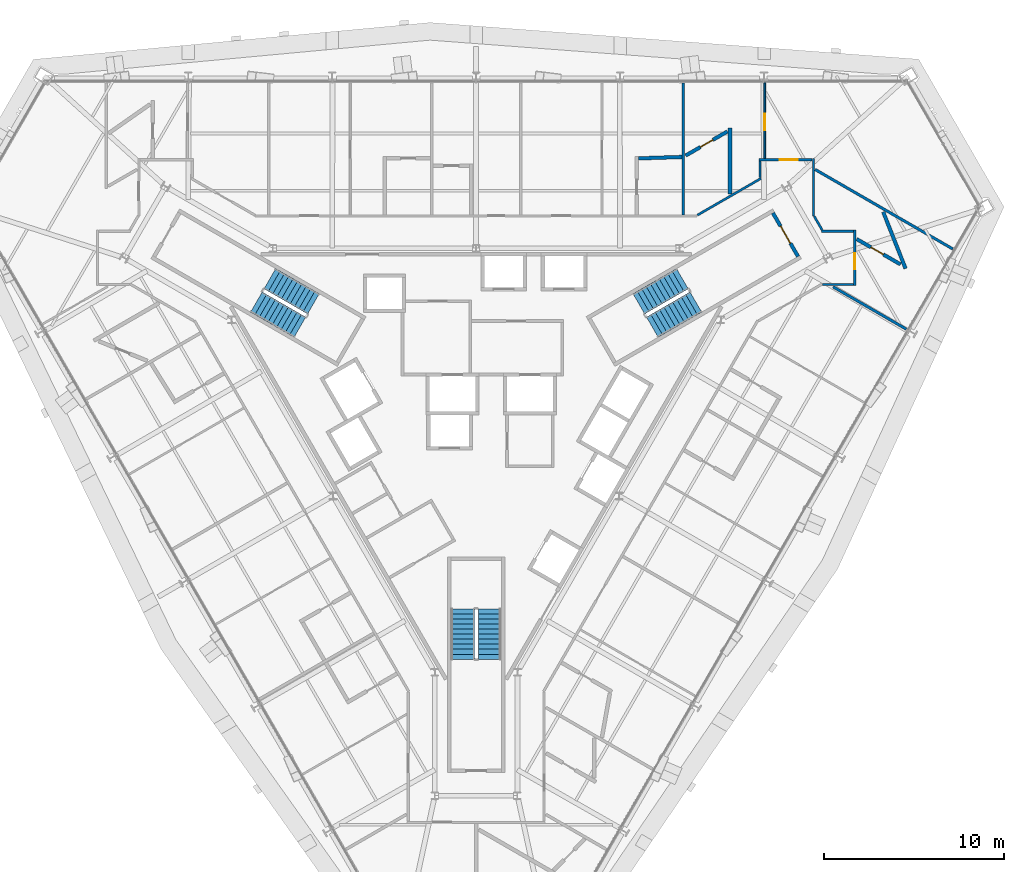
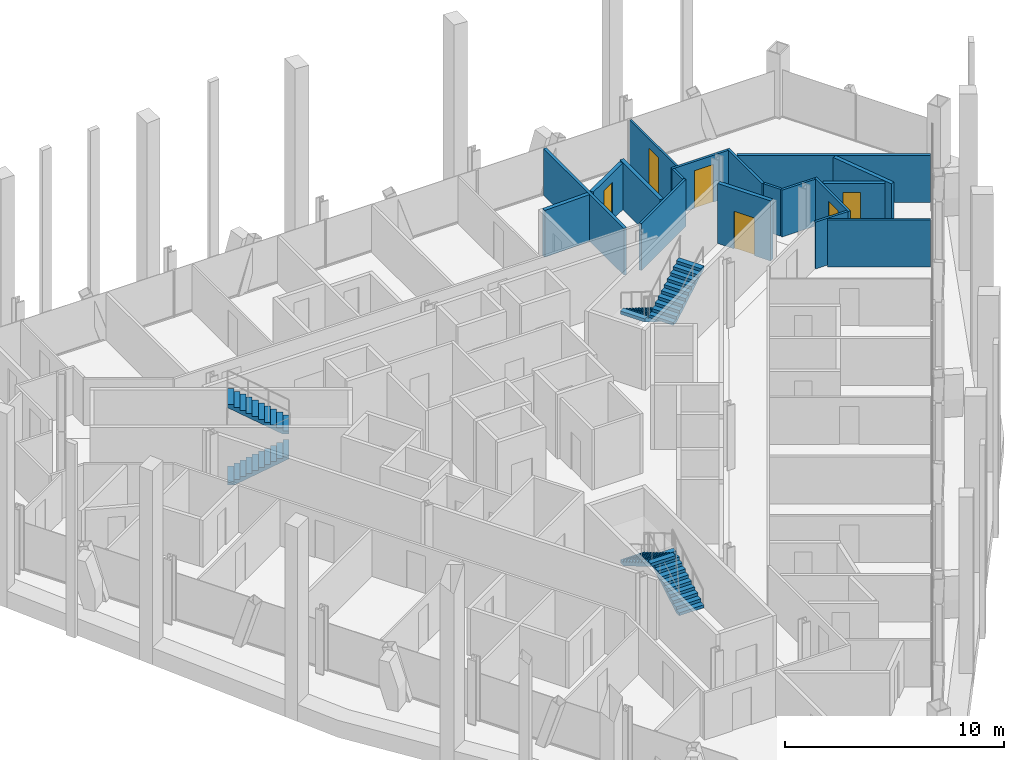
# One storey, part 14 of 16: 18 walls, 6 doors, 6 stair flights, 6 openings, 3 elements without a shape of their own.
"""IFC4 building model written with IfcOpenShell, lengths in metres."""

import ifcopenshell
import ifcopenshell.guid

model = None  # the IFC model being written
_history = None  # IfcOwnerHistory: only IFC2X3 demands one
_inside = {}  # id of a spatial element -> (the spatial element, [elements in it])
_under = {}  # id of a project, library or spatial element -> (it, [spatial elements below it])
_declared = {}  # id of a project -> (the project, [libraries it declares])
_typed = {}  # id of a type object -> (the type object, [elements of that type])
_made_of = {}  # id of a material, layer set ... -> (it, [elements and type objects made of it])


def new_model(schema):
    """Start an empty IFC model of exactly this schema.

    Asked for "IFC4X3", IfcOpenShell would pick the latest addendum, in which some entities
    have other attributes; the version numbers below select the first issue.
    IFC2X3 requires an IfcOwnerHistory on every rooted entity: one is made here for all.
    """
    global model, _history
    if schema == "IFC4X3":
        model = ifcopenshell.file(schema_version=(4, 3, 0, 0))
    else:
        model = ifcopenshell.file(schema=schema)
    _inside.clear()
    _under.clear()
    _declared.clear()
    _typed.clear()
    _made_of.clear()
    _history = None
    if model.schema == "IFC2X3":
        org = make("IfcOrganization", Name="unknown")
        user = make(
            "IfcPersonAndOrganization",
            ThePerson=make("IfcPerson", FamilyName="unknown"),
            TheOrganization=org,
        )
        app = make(
            "IfcApplication",
            ApplicationDeveloper=org,
            Version="unknown",
            ApplicationFullName="unknown",
            ApplicationIdentifier="unknown",
        )
        _history = make(
            "IfcOwnerHistory",
            OwningUser=user,
            OwningApplication=app,
            ChangeAction="ADDED",
            CreationDate=0,
        )
    return model


def make(cls, **values):
    """One entity of the class cls with the attributes given. An attribute that is None is left unset."""
    return model.create_entity(
        cls, **{name: value for name, value in values.items() if value is not None}
    )


def rooted(cls, **values):
    """An entity with a GlobalId (a new one), such as an element, a storey or a relation."""
    return make(cls, GlobalId=ifcopenshell.guid.new(), OwnerHistory=_history, **values)


def si_unit(unit_type, name, prefix=None):
    """IfcSIUnit, for example si_unit("LENGTHUNIT", "METRE", prefix="MILLI")."""
    return make("IfcSIUnit", UnitType=unit_type, Prefix=prefix, Name=name)


def assignment(units):
    """IfcUnitAssignment: the units of a project."""
    return None if units is None else make("IfcUnitAssignment", Units=units)


def point(xyz):
    """IfcCartesianPoint."""
    return None if xyz is None else make("IfcCartesianPoint", Coordinates=xyz)


def direction(xyz):
    """IfcDirection."""
    return None if xyz is None else make("IfcDirection", DirectionRatios=xyz)


def frame(location, z_axis=None, x_axis=None):
    """IfcAxis2Placement3D, a coordinate frame: its origin and axes. An axis left out is left unset."""
    return make(
        "IfcAxis2Placement3D",
        Location=point(location),
        Axis=direction(z_axis),
        RefDirection=direction(x_axis),
    )


def frame_2d(location, x_axis=None):
    """IfcAxis2Placement2D, a coordinate frame in the plane: its origin and x axis."""
    return make(
        "IfcAxis2Placement2D", Location=point(location), RefDirection=direction(x_axis)
    )


def origin():
    """The frame at (0, 0, 0) with its axes left unset."""
    return frame((0.0, 0.0, 0.0))


def place(relative_to, where):
    """IfcLocalPlacement: puts the frame where relative to a parent placement (None: the world)."""
    return make(
        "IfcLocalPlacement", PlacementRelTo=relative_to, RelativePlacement=where
    )


def context(
    kind, dimensions, precision=None, world=None, true_north=None, identifier=None
):
    """IfcGeometricRepresentationContext, for example the 3D "Model" context."""
    return make(
        "IfcGeometricRepresentationContext",
        ContextIdentifier=identifier,
        ContextType=kind,
        CoordinateSpaceDimension=dimensions,
        Precision=precision,
        WorldCoordinateSystem=world,
        TrueNorth=true_north,
    )


def subcontext(parent, identifier, kind, view, scale=None):
    """IfcGeometricRepresentationSubContext, for example "Body" below "Model"."""
    return make(
        "IfcGeometricRepresentationSubContext",
        ContextIdentifier=identifier,
        ContextType=kind,
        ParentContext=parent,
        TargetScale=scale,
        TargetView=view,
    )


def project(units=None, contexts=None):
    """IfcProject with its units and contexts."""
    return rooted(
        "IfcProject",
        Name="project",
        RepresentationContexts=contexts,
        UnitsInContext=assignment(units),
    )


def spatial(cls, under=None, at=None, **own):
    """A site, building, storey or space (cls), placed at a placement, below another one or the project."""
    s = rooted(cls, ObjectPlacement=at, **own)
    if under is not None:
        _under.setdefault(under.id(), (under, []))[1].append(s)
    return s


def polyline(points):
    """IfcPolyline through the points."""
    return make("IfcPolyline", Points=[point(p) for p in points])


def profile(cls, at=None, kind="AREA", **sizes):
    """A parametric profile (cls). Its sizes go by their IFC names, for example OverallWidth=200.0."""
    return make(cls, ProfileType=kind, Position=at, **sizes)


def rectangle(**sizes):
    """IfcRectangleProfileDef."""
    return profile("IfcRectangleProfileDef", **sizes)


def outline(outer, holes=None, kind="AREA"):
    """IfcArbitraryClosedProfileDef: a profile drawn as a closed curve; with holes, ...WithVoids."""
    if holes is None:
        return make("IfcArbitraryClosedProfileDef", ProfileType=kind, OuterCurve=outer)
    return make(
        "IfcArbitraryProfileDefWithVoids",
        ProfileType=kind,
        OuterCurve=outer,
        InnerCurves=holes,
    )


def extrude(swept, where, along, depth):
    """IfcExtrudedAreaSolid: the profile swept, set in the frame where, extruded along a direction by depth."""
    return make(
        "IfcExtrudedAreaSolid",
        SweptArea=swept,
        Position=where,
        ExtrudedDirection=direction(along),
        Depth=depth,
    )


def shape(context_of_items, identifier, shape_type, items):
    """IfcShapeRepresentation: the items that make up one representation, for example the "Body"."""
    return make(
        "IfcShapeRepresentation",
        ContextOfItems=context_of_items,
        RepresentationIdentifier=identifier,
        RepresentationType=shape_type,
        Items=items,
    )


def material(Name=None, Category=None):
    """IfcMaterial."""
    return make("IfcMaterial", Name=Name, Category=Category)


def layer(
    of_material, thickness, ventilated=None, Name=None, Category=None, Priority=None
):
    """IfcMaterialLayer: one layer of a wall or slab, of a material (None: an air gap)."""
    return make(
        "IfcMaterialLayer",
        Material=of_material,
        LayerThickness=thickness,
        IsVentilated=ventilated,
        Name=Name,
        Category=Category,
        Priority=Priority,
    )


def layer_set(layers, Name=None):
    """IfcMaterialLayerSet."""
    return make("IfcMaterialLayerSet", MaterialLayers=layers, LayerSetName=Name)


def made_of(thing, what):
    """Note that an element or type object is made of a material, layer set ...; save() writes the relation."""
    if what is not None:
        _made_of.setdefault(what.id(), (what, []))[1].append(thing)
    return thing


def type_object(cls, material=None, **own):
    """A type object (cls), such as IfcWallType, which elements share."""
    return made_of(rooted(cls, **own), material)


def element(
    cls,
    number,
    at=None,
    inside=None,
    cuts=None,
    type_object=None,
    material=None,
    context=None,
    identifier="Body",
    shape_type=None,
    held_by="IfcProductDefinitionShape",
    body=None,
    shapes=None,
    **own,
):
    """One element of the class cls, such as IfcWall. Its Tag is "e" and its number.

    at: its placement. inside: the storey or other place that contains it. cuts: it is an
    opening in that element (IfcRelVoidsElement). A single representation is given by context,
    identifier, shape_type and body (its items); several are given by shapes. held_by: the class
    of the entity that holds the representations. save() writes the other relations.
    """
    e = rooted(cls, Tag="e%d" % number, ObjectPlacement=at, **own)
    if body is not None:
        shapes = [shape(context, identifier, shape_type, body)]
    if shapes is not None:
        e.Representation = make(held_by, Representations=shapes)
    if inside is not None:
        _inside.setdefault(inside.id(), (inside, []))[1].append(e)
    if cuts is not None:
        rooted(
            "IfcRelVoidsElement", RelatingBuildingElement=cuts, RelatedOpeningElement=e
        )
    if type_object is not None:
        _typed.setdefault(type_object.id(), (type_object, []))[1].append(e)
    return made_of(e, material)


def fill(opening, filler):
    """IfcRelFillsElement: the door or window that sits in an opening."""
    return rooted(
        "IfcRelFillsElement",
        RelatingOpeningElement=opening,
        RelatedBuildingElement=filler,
    )


def aggregate(whole, parts):
    """IfcRelAggregates: a whole, such as a stair, and the parts it consists of."""
    return rooted("IfcRelAggregates", RelatingObject=whole, RelatedObjects=parts)


def save(model, path):
    """Write the relations noted so far, then the file.

    IfcRelAggregates (storeys below a building ...), IfcRelContainedInSpatialStructure (elements
    in a storey), IfcRelDefinesByType, IfcRelAssociatesMaterial and IfcRelDeclares: one each for
    every whole, place, type object, material and project.
    """
    for whole, parts in _under.values():
        aggregate(whole, parts)
    for where, things in _inside.values():
        rooted(
            "IfcRelContainedInSpatialStructure",
            RelatedElements=things,
            RelatingStructure=where,
        )
    for kind, things in _typed.values():
        rooted("IfcRelDefinesByType", RelatedObjects=things, RelatingType=kind)
    for what, things in _made_of.values():
        rooted("IfcRelAssociatesMaterial", RelatedObjects=things, RelatingMaterial=what)
    for by, libraries in _declared.values():
        rooted("IfcRelDeclares", RelatingContext=by, RelatedDefinitions=libraries)
    model.write(path)


model = new_model("IFC4")

# Units and contexts
model_context = context("Model", 3, precision=1e-05, world=origin(), true_north=direction((0.0, 1.0)))
body_context = subcontext(model_context, "Body", "Model", "MODEL_VIEW")
ifc_project = project(units=[si_unit("LENGTHUNIT", "METRE"), si_unit("AREAUNIT", "SQUARE_METRE"), si_unit("VOLUMEUNIT", "CUBIC_METRE"), si_unit("PLANEANGLEUNIT", "RADIAN"), si_unit("MASSUNIT", "GRAM", prefix="KILO")], contexts=[model_context])

# Site, building, storey
site_placement = place(None, origin())
site = spatial("IfcSite", under=ifc_project, at=site_placement, CompositionType="ELEMENT")
building_placement = place(site_placement, origin())
building = spatial("IfcBuilding", under=site, at=building_placement, Name="Verrane Prism Tower", CompositionType="ELEMENT")
storey_placement = place(building_placement, frame((0.0, 0.0, 103.60009765625)))
storey = spatial("IfcBuildingStorey", under=building, at=storey_placement, Name="L24", CompositionType="ELEMENT", Elevation=103.60009765625)

# Wall, opening, door
ifc_material_1 = material(Name="Concrete C40/50", Category="concrete")
ifc_layer_1 = layer(ifc_material_1, 0.199951171875)
ifc_layer_set_1 = layer_set([ifc_layer_1], Name="CW-200 stair core wall concrete C40/50 3 h")
wall_type_1 = type_object("IfcWallType", Name="CW-200 stair core wall concrete C40/50 3 h", PredefinedType="PARTITIONING", material=ifc_layer_set_1)
wall_1_placement = place(storey_placement, frame((17.933837890625, 8.737548828125, 0.0), z_axis=(0.0, 0.0, 1.0), x_axis=(-0.49998411664, 0.866034573852, 0.0)))
wall_1 = element("IfcWall", 1, at=wall_1_placement, inside=storey, type_object=wall_type_1, Name="Stair 1 enclosure wall", PredefinedType="PARTITIONING", context=body_context, shape_type="SweptSolid", body=[
    extrude(rectangle(XDim=2.7998046875, YDim=0.199951171875, at=frame_2d((1.39990234375, 0.0))), origin(), (0.0, 0.0, 1.0), 3.349853515625),
])
opening_1_placement = place(wall_1_placement, frame((0.849853515625, 0.0, 0.0)))
opening_1 = element("IfcOpeningElement", 2, at=opening_1_placement, cuts=wall_1, Name="Opening D24500", PredefinedType="OPENING", context=body_context, shape_type="SweptSolid", body=[
    extrude(rectangle(XDim=1.10009765625, YDim=2.10009765625, at=frame_2d((0.550048828125, 1.050048828125))), frame((0.0, 0.10986328125, 0.0), z_axis=(0.0, -1.0, 0.0), x_axis=(1.0, 0.0, 0.0)), (0.0, 0.0, 1.0), 0.219970703125),
])
ifc_material_2 = material(Name="Timber veneered door leaf", Category="wood")
door_type_1 = type_object("IfcDoorType", Name="DR-1100x2100 FD90 single leaf stair", OperationType="NOTDEFINED", PredefinedType="DOOR", material=ifc_material_2)
door_1_placement = place(opening_1_placement, origin())
door_1 = element("IfcDoor", 3, at=door_1_placement, inside=storey, type_object=door_type_1, Name="Stair 1 door", OperationType="SINGLE_SWING_LEFT", OverallHeight=2.10009765625, OverallWidth=1.10009765625, PredefinedType="DOOR", context=body_context, shape_type="SweptSolid", body=[
    extrude(rectangle(XDim=1.10009765625, YDim=2.10009765625, at=frame_2d((0.550048828125, 1.050048828125))), frame((0.0, 0.02490234375, 0.0), z_axis=(0.0, -1.0, 0.0), x_axis=(1.0, 0.0, 0.0)), (0.0, 0.0, 1.0), 0.050048828125),
])
fill(opening_1, door_1)

ifc_material_3 = material(Name="Gypsum board partition", Category="other")
ifc_layer_2 = layer(ifc_material_3, 0.10009765625)
ifc_layer_set_2 = layer_set([ifc_layer_2], Name="PW-100 room partition")
wall_type_2 = type_object("IfcWallType", Name="PW-100 room partition", PredefinedType="PARTITIONING", material=ifc_layer_set_2)
wall_2_placement = place(storey_placement, frame((16.074951171875, 14.189453125, 0.0), z_axis=(0.0, 0.0, 1.0), x_axis=(0.0, 1.0, 0.0)))
wall_2 = element("IfcWall", 4, at=wall_2_placement, inside=storey, type_object=wall_type_2, Name="Room partition 073", PredefinedType="PARTITIONING", context=body_context, shape_type="SweptSolid", body=[
    extrude(rectangle(XDim=4.2255859375, YDim=0.10009765625, at=frame_2d((2.11279296875, 0.0))), origin(), (0.0, 0.0, 1.0), 2.61279296875),
])
opening_2_placement = place(wall_2_placement, frame((1.58740234375, 0.0, 0.0)))
opening_2 = element("IfcOpeningElement", 5, at=opening_2_placement, cuts=wall_2, Name="Opening D24015", PredefinedType="OPENING", context=body_context, shape_type="SweptSolid", body=[
    extrude(rectangle(XDim=0.89990234375, YDim=2.10009765625, at=frame_2d((0.449951171875, 1.050048828125))), frame((0.0, 0.06005859375, 0.0), z_axis=(0.0, -1.0, 0.0), x_axis=(1.0, 0.0, 0.0)), (0.0, 0.0, 1.0), 0.1201171875),
])
ifc_material_4 = material(Name="Timber veneered door leaf", Category="wood")
door_type_2 = type_object("IfcDoorType", Name="DR-900x2100 single leaf inner", OperationType="NOTDEFINED", PredefinedType="DOOR", material=ifc_material_4)
door_2_placement = place(opening_2_placement, origin())
door_2 = element("IfcDoor", 6, at=door_2_placement, inside=storey, type_object=door_type_2, Name="Suite Living Room door", OperationType="SINGLE_SWING_LEFT", OverallHeight=2.10009765625, OverallWidth=0.89990234375, PredefinedType="DOOR", context=body_context, shape_type="SweptSolid", body=[
    extrude(rectangle(XDim=0.89990234375, YDim=2.10009765625, at=frame_2d((0.449951171875, 1.050048828125))), frame((0.0, 0.02490234375, 0.0), z_axis=(0.0, -1.0, 0.0), x_axis=(1.0, 0.0, 0.0)), (0.0, 0.0, 1.0), 0.050048828125),
])
fill(opening_2, door_2)

# Walls
ifc_material_5 = material(Name="Gypsum board partition", Category="other")
ifc_layer_3 = layer(ifc_material_5, 0.125)
ifc_layer_set_3 = layer_set([ifc_layer_3], Name="PW-125 corridor wall 1 h")
wall_type_3 = type_object("IfcWallType", Name="PW-125 corridor wall 1 h", PredefinedType="PARTITIONING", material=ifc_layer_set_3)
wall_3_placement = place(storey_placement, frame((12.32666015625, 11.04248046875, 0.0), z_axis=(0.0, 0.0, 1.0), x_axis=(0.866070231021, 0.499922348909, 0.0)))
element("IfcWall", 7, at=wall_3_placement, inside=storey, type_object=wall_type_3, Name="Corridor wall 063", PredefinedType="PARTITIONING", context=body_context, shape_type="SweptSolid", body=[
    extrude(rectangle(XDim=4.088134765625, YDim=0.125, at=frame_2d((2.0439453125, 0.0))), origin(), (0.0, 0.0, 1.0), 2.61279296875),
])
wall_4_placement = place(storey_placement, frame((15.81298828125, 13.139892578125, 0.0), z_axis=(0.0, 0.0, 1.0), x_axis=(0.0, 1.0, 0.0)))
element("IfcWall", 8, at=wall_4_placement, inside=storey, type_object=wall_type_3, Name="Corridor wall 071", PredefinedType="PARTITIONING", context=body_context, shape_type="SweptSolid", body=[
    extrude(rectangle(XDim=0.922119140625, YDim=0.125, at=frame_2d((0.4609375, 0.0))), origin(), (0.0, 0.0, 1.0), 2.61279296875),
])

# Wall, opening, door
wall_5_placement = place(storey_placement, frame((15.75048828125, 14.126953125, 0.0), z_axis=(0.0, 0.0, 1.0), x_axis=(1.0, 0.0, 0.0)))
wall_5 = element("IfcWall", 9, at=wall_5_placement, inside=storey, type_object=wall_type_3, Name="Corridor wall 072", PredefinedType="PARTITIONING", context=body_context, shape_type="SweptSolid", body=[
    extrude(rectangle(XDim=2.971435546875, YDim=0.125, at=frame_2d((1.48583984375, 0.0))), origin(), (0.0, 0.0, 1.0), 2.61279296875),
])
opening_3_placement = place(wall_5_placement, frame((1.174560546875, 0.0, 0.0)))
opening_3 = element("IfcOpeningElement", 10, at=opening_3_placement, cuts=wall_5, Name="Opening D24014", PredefinedType="OPENING", context=body_context, shape_type="SweptSolid", body=[
    extrude(rectangle(XDim=1.0, YDim=2.10009765625, at=frame_2d((0.5, 1.050048828125))), frame((0.0, 0.072509765625, 0.0), z_axis=(0.0, -1.0, 0.0), x_axis=(1.0, 0.0, 0.0)), (0.0, 0.0, 1.0), 0.14501953125),
])
ifc_material_6 = material(Name="Timber veneered door leaf", Category="wood")
door_type_3 = type_object("IfcDoorType", Name="DR-1000x2100 FD20 single leaf unit", OperationType="NOTDEFINED", PredefinedType="DOOR", material=ifc_material_6)
door_3_placement = place(opening_3_placement, origin())
door_3 = element("IfcDoor", 11, at=door_3_placement, inside=storey, type_object=door_type_3, Name="Suite Living Room door", OperationType="SINGLE_SWING_RIGHT", OverallHeight=2.10009765625, OverallWidth=1.0, PredefinedType="DOOR", context=body_context, shape_type="SweptSolid", body=[
    extrude(rectangle(XDim=1.0, YDim=2.10009765625, at=frame_2d((0.5, 1.050048828125))), frame((0.0, 0.02490234375, 0.0), z_axis=(0.0, -1.0, 0.0), x_axis=(1.0, 0.0, 0.0)), (0.0, 0.0, 1.0), 0.050048828125),
])
fill(opening_3, door_3)

# Walls
wall_6_placement = place(storey_placement, frame((18.787109375, 10.99755859375, 0.0), z_axis=(0.0, 0.0, 1.0), x_axis=(0.0, 1.0, 0.0)))
element("IfcWall", 12, at=wall_6_placement, inside=storey, type_object=wall_type_3, Name="Corridor wall 074", PredefinedType="PARTITIONING", context=body_context, shape_type="SweptSolid", body=[
    extrude(rectangle(XDim=3.19189453125, YDim=0.125, at=frame_2d((1.595947265625, 0.0))), origin(), (0.0, 0.0, 1.0), 2.61279296875),
])
wall_7_placement = place(storey_placement, frame((18.82958984375, 10.986328125, 0.0), z_axis=(0.0, 0.0, 1.0), x_axis=(0.499881837328, -0.866093614288, 0.0)))
element("IfcWall", 13, at=wall_7_placement, inside=storey, type_object=wall_type_3, Name="Corridor wall 075", PredefinedType="PARTITIONING", context=body_context, shape_type="SweptSolid", body=[
    extrude(rectangle(XDim=0.884033203125, YDim=0.125, at=frame_2d((0.44189453125, 0.0))), origin(), (0.0, 0.0, 1.0), 2.61279296875),
])
wall_8_placement = place(storey_placement, frame((19.30908203125, 7.173095703125, 0.0), z_axis=(0.0, 0.0, 1.0), x_axis=(1.0, 0.0, 0.0)))
element("IfcWall", 14, at=wall_8_placement, inside=storey, type_object=wall_type_3, Name="Corridor wall 077", PredefinedType="PARTITIONING", context=body_context, shape_type="SweptSolid", body=[
    extrude(rectangle(XDim=1.712890625, YDim=0.125, at=frame_2d((0.8564453125, 0.0))), origin(), (0.0, 0.0, 1.0), 2.61279296875),
])
wall_9_placement = place(storey_placement, frame((19.25146484375, 10.14697265625, 0.0), z_axis=(0.0, 0.0, 1.0), x_axis=(1.0, 0.0, 0.0)))
element("IfcWall", 15, at=wall_9_placement, inside=storey, type_object=wall_type_3, Name="Corridor wall 078", PredefinedType="PARTITIONING", context=body_context, shape_type="SweptSolid", body=[
    extrude(rectangle(XDim=1.7705078125, YDim=0.125, at=frame_2d((0.88525390625, 0.0))), origin(), (0.0, 0.0, 1.0), 2.61279296875),
])

# Wall, opening, door
wall_10_placement = place(storey_placement, frame((21.0869140625, 10.20947265625, 0.0), z_axis=(0.0, 0.0, 1.0), x_axis=(0.0, -1.0, 0.0)))
wall_10 = element("IfcWall", 16, at=wall_10_placement, inside=storey, type_object=wall_type_3, Name="Corridor wall 080", PredefinedType="PARTITIONING", context=body_context, shape_type="SweptSolid", body=[
    extrude(rectangle(XDim=3.098876953125, YDim=0.125, at=frame_2d((1.54931640625, 0.0))), origin(), (0.0, 0.0, 1.0), 2.61279296875),
])
opening_4_placement = place(wall_10_placement, frame((1.28662109375, 0.0, 0.0)))
opening_4 = element("IfcOpeningElement", 17, at=opening_4_placement, cuts=wall_10, Name="Opening D24012", PredefinedType="OPENING", context=body_context, shape_type="SweptSolid", body=[
    extrude(rectangle(XDim=0.89990234375, YDim=2.10009765625, at=frame_2d((0.449951171875, 1.050048828125))), frame((0.0, 0.072509765625, 0.0), z_axis=(0.0, -1.0, 0.0), x_axis=(1.0, 0.0, 0.0)), (0.0, 0.0, 1.0), 0.14501953125),
])
ifc_material_7 = material(Name="Timber veneered door leaf", Category="wood")
door_type_4 = type_object("IfcDoorType", Name="DR-900x2100 FD20 single leaf unit", OperationType="NOTDEFINED", PredefinedType="DOOR", material=ifc_material_7)
door_4_placement = place(opening_4_placement, origin())
door_4 = element("IfcDoor", 18, at=door_4_placement, inside=storey, type_object=door_type_4, Name="Guest Room door", OperationType="SINGLE_SWING_LEFT", OverallHeight=2.10009765625, OverallWidth=0.89990234375, PredefinedType="DOOR", context=body_context, shape_type="SweptSolid", body=[
    extrude(rectangle(XDim=0.89990234375, YDim=2.10009765625, at=frame_2d((0.449951171875, 1.050048828125))), frame((0.0, 0.02490234375, 0.0), z_axis=(0.0, -1.0, 0.0), x_axis=(1.0, 0.0, 0.0)), (0.0, 0.0, 1.0), 0.050048828125),
])
fill(opening_4, door_4)

# Walls
ifc_material_8 = material(Name="Gypsum board partition", Category="other")
ifc_layer_4 = layer(ifc_material_8, 0.14990234375)
ifc_layer_set_4 = layer_set([ifc_layer_4], Name="PW-150 demising wall 1 h")
wall_type_4 = type_object("IfcWallType", Name="PW-150 demising wall 1 h", PredefinedType="PARTITIONING", material=ifc_layer_set_4)
wall_11_placement = place(storey_placement, frame((11.5439453125, 11.0625, 0.0), z_axis=(0.0, 0.0, 1.0), x_axis=(0.0, 1.0, 0.0)))
element("IfcWall", 19, at=wall_11_placement, inside=storey, type_object=wall_type_4, Name="Demising wall 061", PredefinedType="PARTITIONING", context=body_context, shape_type="SweptSolid", body=[
    extrude(rectangle(XDim=7.3525390625, YDim=0.14990234375, at=frame_2d((3.67626953125, 0.0))), origin(), (0.0, 0.0, 1.0), 2.61279296875),
])
wall_12_placement = place(storey_placement, frame((18.886962890625, 13.584228515625, 0.0), z_axis=(0.0, 0.0, 1.0), x_axis=(0.866024349092, -0.500001826776, 0.0)))
element("IfcWall", 20, at=wall_12_placement, inside=storey, type_object=wall_type_4, Name="Demising wall 076", PredefinedType="PARTITIONING", context=body_context, shape_type="SweptSolid", body=[
    extrude(rectangle(XDim=8.8505859375, YDim=0.14990234375, at=frame_2d((4.42529296875, 0.0))), origin(), (0.0, 0.0, 1.0), 2.61279296875),
])
wall_13_placement = place(storey_placement, frame((19.888671875, 7.045654296875, 0.0), z_axis=(0.0, 0.0, 1.0), x_axis=(0.865929380849, -0.500166279733, 0.0)))
element("IfcWall", 21, at=wall_13_placement, inside=storey, type_object=wall_type_4, Name="Demising wall 079", PredefinedType="PARTITIONING", context=body_context, shape_type="SweptSolid", body=[
    extrude(rectangle(XDim=4.7138671875, YDim=0.14990234375, at=frame_2d((2.35693359375, 0.0))), origin(), (0.0, 0.0, 1.0), 2.61279296875),
])
ifc_material_9 = material(Name="Gypsum board partition", Category="other")
ifc_layer_5 = layer(ifc_material_9, 0.199951171875)
ifc_layer_set_5 = layer_set([ifc_layer_5], Name="PW-200 plumbing wall")
wall_type_5 = type_object("IfcWallType", Name="PW-200 plumbing wall", PredefinedType="PARTITIONING", material=ifc_layer_set_5)
wall_14_placement = place(storey_placement, frame((9.048828125, 14.203369140625, 0.0), z_axis=(0.0, 0.0, 1.0), x_axis=(0.999451498762, 0.033116485665, 0.0)))
element("IfcWall", 22, at=wall_14_placement, inside=storey, type_object=wall_type_5, Name="Plumbing wall 058", PredefinedType="PARTITIONING", context=body_context, shape_type="SweptSolid", body=[
    extrude(rectangle(XDim=2.41796875, YDim=0.199951171875, at=frame_2d((1.208984375, 0.0))), origin(), (0.0, 0.0, 1.0), 2.61279296875),
])

# Wall, opening, door
wall_15_placement = place(storey_placement, frame((13.996826171875, 15.701904296875, 0.0), z_axis=(0.0, 0.0, 1.0), x_axis=(-0.866066100916, -0.499929503874, 0.0)))
wall_15 = element("IfcWall", 23, at=wall_15_placement, inside=storey, type_object=wall_type_5, Name="Plumbing wall 062", PredefinedType="PARTITIONING", context=body_context, shape_type="SweptSolid", body=[
    extrude(rectangle(XDim=2.68798828125, YDim=0.199951171875, at=frame_2d((1.343994140625, 0.0))), origin(), (0.0, 0.0, 1.0), 2.61279296875),
])
opening_5_placement = place(wall_15_placement, frame((0.93212890625, 0.0, 0.0)))
opening_5 = element("IfcOpeningElement", 24, at=opening_5_placement, cuts=wall_15, Name="Opening D24016", PredefinedType="OPENING", context=body_context, shape_type="SweptSolid", body=[
    extrude(rectangle(XDim=0.800048828125, YDim=2.10009765625, at=frame_2d((0.39990234375, 1.050048828125))), frame((0.0, 0.10986328125, 0.0), z_axis=(0.0, -1.0, 0.0), x_axis=(1.0, 0.0, 0.0)), (0.0, 0.0, 1.0), 0.219970703125),
])
ifc_material_10 = material(Name="Timber veneered door leaf", Category="wood")
door_type_5 = type_object("IfcDoorType", Name="DR-800x2100 single leaf bath", OperationType="NOTDEFINED", PredefinedType="DOOR", material=ifc_material_10)
door_5_placement = place(opening_5_placement, origin())
door_5 = element("IfcDoor", 25, at=door_5_placement, inside=storey, type_object=door_type_5, Name="En-Suite door", OperationType="SINGLE_SWING_LEFT", OverallHeight=2.10009765625, OverallWidth=0.800048828125, PredefinedType="DOOR", context=body_context, shape_type="SweptSolid", body=[
    extrude(rectangle(XDim=0.800048828125, YDim=2.10009765625, at=frame_2d((0.39990234375, 1.050048828125))), frame((0.0, 0.02490234375, 0.0), z_axis=(0.0, -1.0, 0.0), x_axis=(1.0, 0.0, 0.0)), (0.0, 0.0, 1.0), 0.050048828125),
])
fill(opening_5, door_5)

# Wall
wall_16_placement = place(storey_placement, frame((14.14404296875, 12.221923828125, 0.0), z_axis=(0.0, 0.0, 1.0), x_axis=(0.0, 1.0, 0.0)))
element("IfcWall", 26, at=wall_16_placement, inside=storey, type_object=wall_type_5, Name="Plumbing wall 066", PredefinedType="PARTITIONING", context=body_context, shape_type="SweptSolid", body=[
    extrude(rectangle(XDim=3.6650390625, YDim=0.199951171875, at=frame_2d((1.83251953125, 0.0))), origin(), (0.0, 0.0, 1.0), 2.61279296875),
])

# Wall, opening, door
wall_17_placement = place(storey_placement, frame((21.199462890625, 9.7080078125, 0.0), z_axis=(0.0, 0.0, 1.0), x_axis=(0.866129327763, -0.499819955173, 0.0)))
wall_17 = element("IfcWall", 27, at=wall_17_placement, inside=storey, type_object=wall_type_5, Name="Plumbing wall 081", PredefinedType="PARTITIONING", context=body_context, shape_type="SweptSolid", body=[
    extrude(rectangle(XDim=2.81787109375, YDim=0.199951171875, at=frame_2d((1.408935546875, 0.0))), origin(), (0.0, 0.0, 1.0), 2.61279296875),
])
opening_6_placement = place(wall_17_placement, frame((0.920166015625, 0.0, 0.0)))
opening_6 = element("IfcOpeningElement", 28, at=opening_6_placement, cuts=wall_17, Name="Opening D24013", PredefinedType="OPENING", context=body_context, shape_type="SweptSolid", body=[
    extrude(rectangle(XDim=0.800048828125, YDim=2.10009765625, at=frame_2d((0.39990234375, 1.050048828125))), frame((0.0, 0.10986328125, 0.0), z_axis=(0.0, -1.0, 0.0), x_axis=(1.0, 0.0, 0.0)), (0.0, 0.0, 1.0), 0.219970703125),
])
door_6_placement = place(opening_6_placement, origin())
door_6 = element("IfcDoor", 29, at=door_6_placement, inside=storey, type_object=door_type_5, Name="En-Suite door", OperationType="SINGLE_SWING_LEFT", OverallHeight=2.10009765625, OverallWidth=0.800048828125, PredefinedType="DOOR", context=body_context, shape_type="SweptSolid", body=[
    extrude(rectangle(XDim=0.800048828125, YDim=2.10009765625, at=frame_2d((0.39990234375, 1.050048828125))), frame((0.0, 0.02490234375, 0.0), z_axis=(0.0, -1.0, 0.0), x_axis=(1.0, 0.0, 0.0)), (0.0, 0.0, 1.0), 0.050048828125),
])
fill(opening_6, door_6)

# Wall
wall_18_placement = place(storey_placement, frame((22.6767578125, 11.2197265625, 0.0), z_axis=(0.0, 0.0, 1.0), x_axis=(0.36751707294, -0.930016774632, 0.0)))
element("IfcWall", 30, at=wall_18_placement, inside=storey, type_object=wall_type_5, Name="Plumbing wall 082", PredefinedType="PARTITIONING", context=body_context, shape_type="SweptSolid", body=[
    extrude(rectangle(XDim=3.393310546875, YDim=0.199951171875, at=frame_2d((1.69677734375, 0.0))), origin(), (0.0, 0.0, 1.0), 2.61279296875),
])

# Stair, stair flights
ifc_material_11 = material(Name="Concrete C40/50", Category="concrete")
stair_type = type_object("IfcStairType", Name="Exit stair 1300 dog-leg precast concrete C40/50", PredefinedType="HALF_TURN_STAIR", material=ifc_material_11)
stair_1_placement = place(storey_placement, origin())
stair_1 = element("IfcStair", 31, at=stair_1_placement, inside=storey, type_object=stair_type, Name="Stair 1 L24", PredefinedType="HALF_TURN_STAIR")
ifc_material_12 = material(Name="Concrete C40/50", Category="concrete")
stair_flight_type = type_object("IfcStairFlightType", Name="Stair flight 1300 precast concrete C40/50", PredefinedType="STRAIGHT", material=ifc_material_12)
stair_flight_1_placement = place(storey_placement, frame((11.489501953125, 7.49951171875, 0.0), z_axis=(0.0, 0.0, 1.0), x_axis=(-0.866025403784, -0.5, 0.0)))
stair_flight_1 = element("IfcStairFlight", 32, at=stair_flight_1_placement, type_object=stair_flight_type, Name="Stair 1 flight 1", NumberOfRisers=11, NumberOfTreads=10, PredefinedType="STRAIGHT", RiserHeight=0.163636364, TreadLength=0.28, context=body_context, shape_type="SweptSolid", body=[
    extrude(outline(polyline([(0.0, 0.0), (0.0, 0.16357421875), (0.280029296875, 0.16357421875), (0.280029296875, 0.327392578125), (0.56005859375, 0.327392578125), (0.56005859375, 0.490966796875), (0.840087890625, 0.490966796875), (0.840087890625, 0.654541015625), (1.1201171875, 0.654541015625), (1.1201171875, 0.818115234375), (1.39990234375, 0.818115234375), (1.39990234375, 0.98193359375), (1.679931640625, 0.98193359375), (1.679931640625, 1.1455078125), (1.9599609375, 1.1455078125), (1.9599609375, 1.30908203125), (2.239990234375, 1.30908203125), (2.239990234375, 1.47265625), (2.52001953125, 1.47265625), (2.52001953125, 1.636474609375), (2.800048828125, 1.636474609375), (2.800048828125, 1.800048828125), (2.800048828125, 1.462646484375), (0.297119140625, 0.0), (0.0, 0.0)])), frame((0.0, 0.64990234375, 0.0), z_axis=(0.0, -1.0, 0.0), x_axis=(1.0, 0.0, 0.0)), (0.0, 0.0, 1.0), 1.300048828125),
])
stair_flight_2_placement = place(storey_placement, frame((9.814697265625, 4.800537109375, 1.7998046875), z_axis=(0.0, 0.0, 1.0), x_axis=(0.866025403784, 0.5, 0.0)))
stair_flight_2 = element("IfcStairFlight", 33, at=stair_flight_2_placement, type_object=stair_flight_type, Name="Stair 1 flight 2", NumberOfRisers=11, NumberOfTreads=10, PredefinedType="STRAIGHT", RiserHeight=0.163636364, TreadLength=0.28, context=body_context, shape_type="SweptSolid", body=[
    extrude(outline(polyline([(0.0, 0.0), (0.0, 0.16357421875), (0.280029296875, 0.16357421875), (0.280029296875, 0.327392578125), (0.56005859375, 0.327392578125), (0.56005859375, 0.490966796875), (0.840087890625, 0.490966796875), (0.840087890625, 0.654541015625), (1.1201171875, 0.654541015625), (1.1201171875, 0.818115234375), (1.39990234375, 0.818115234375), (1.39990234375, 0.98193359375), (1.679931640625, 0.98193359375), (1.679931640625, 1.1455078125), (1.9599609375, 1.1455078125), (1.9599609375, 1.30908203125), (2.239990234375, 1.30908203125), (2.239990234375, 1.47265625), (2.52001953125, 1.47265625), (2.52001953125, 1.636474609375), (2.800048828125, 1.636474609375), (2.800048828125, 1.800048828125), (2.800048828125, 1.462646484375), (0.297119140625, 0.0), (0.0, 0.0)])), frame((0.0, 0.64990234375, 0.0), z_axis=(0.0, -1.0, 0.0), x_axis=(1.0, 0.0, 0.0)), (0.0, 0.0, 1.0), 1.300048828125),
])
aggregate(stair_1, [stair_flight_1, stair_flight_2])

stair_2_placement = place(storey_placement, origin())
stair_2 = element("IfcStair", 34, at=stair_2_placement, inside=storey, type_object=stair_type, Name="Stair 2 L24", PredefinedType="HALF_TURN_STAIR")
stair_flight_3_placement = place(storey_placement, frame((-12.239501953125, 6.200439453125, 0.0), z_axis=(0.0, 0.0, 1.0), x_axis=(0.866025403784, -0.5, 0.0)))
stair_flight_3 = element("IfcStairFlight", 35, at=stair_flight_3_placement, type_object=stair_flight_type, Name="Stair 2 flight 1", NumberOfRisers=11, NumberOfTreads=10, PredefinedType="STRAIGHT", RiserHeight=0.163636364, TreadLength=0.28, context=body_context, shape_type="SweptSolid", body=[
    extrude(outline(polyline([(0.0, 0.0), (0.0, 0.16357421875), (0.280029296875, 0.16357421875), (0.280029296875, 0.327392578125), (0.56005859375, 0.327392578125), (0.56005859375, 0.490966796875), (0.840087890625, 0.490966796875), (0.840087890625, 0.654541015625), (1.1201171875, 0.654541015625), (1.1201171875, 0.818115234375), (1.39990234375, 0.818115234375), (1.39990234375, 0.98193359375), (1.679931640625, 0.98193359375), (1.679931640625, 1.1455078125), (1.9599609375, 1.1455078125), (1.9599609375, 1.30908203125), (2.239990234375, 1.30908203125), (2.239990234375, 1.47265625), (2.52001953125, 1.47265625), (2.52001953125, 1.636474609375), (2.800048828125, 1.636474609375), (2.800048828125, 1.800048828125), (2.800048828125, 1.462646484375), (0.297119140625, 0.0), (0.0, 0.0)])), frame((0.0, 0.64990234375, 0.0), z_axis=(0.0, -1.0, 0.0), x_axis=(1.0, 0.0, 0.0)), (0.0, 0.0, 1.0), 1.300048828125),
])
stair_flight_4_placement = place(storey_placement, frame((-9.064697265625, 6.099609375, 1.7998046875), z_axis=(0.0, 0.0, 1.0), x_axis=(-0.866025403784, 0.5, 0.0)))
stair_flight_4 = element("IfcStairFlight", 36, at=stair_flight_4_placement, type_object=stair_flight_type, Name="Stair 2 flight 2", NumberOfRisers=11, NumberOfTreads=10, PredefinedType="STRAIGHT", RiserHeight=0.163636364, TreadLength=0.28, context=body_context, shape_type="SweptSolid", body=[
    extrude(outline(polyline([(0.0, 0.0), (0.0, 0.16357421875), (0.280029296875, 0.16357421875), (0.280029296875, 0.327392578125), (0.56005859375, 0.327392578125), (0.56005859375, 0.490966796875), (0.840087890625, 0.490966796875), (0.840087890625, 0.654541015625), (1.1201171875, 0.654541015625), (1.1201171875, 0.818115234375), (1.39990234375, 0.818115234375), (1.39990234375, 0.98193359375), (1.679931640625, 0.98193359375), (1.679931640625, 1.1455078125), (1.9599609375, 1.1455078125), (1.9599609375, 1.30908203125), (2.239990234375, 1.30908203125), (2.239990234375, 1.47265625), (2.52001953125, 1.47265625), (2.52001953125, 1.636474609375), (2.800048828125, 1.636474609375), (2.800048828125, 1.800048828125), (2.800048828125, 1.462646484375), (0.297119140625, 0.0), (0.0, 0.0)])), frame((0.0, 0.64990234375, 0.0), z_axis=(0.0, -1.0, 0.0), x_axis=(1.0, 0.0, 0.0)), (0.0, 0.0, 1.0), 1.300048828125),
])
aggregate(stair_2, [stair_flight_3, stair_flight_4])

stair_3_placement = place(storey_placement, origin())
stair_3 = element("IfcStair", 37, at=stair_3_placement, inside=storey, type_object=stair_type, Name="Stair 3 L24", PredefinedType="HALF_TURN_STAIR")
stair_flight_5_placement = place(storey_placement, frame((0.75, -13.699951171875, 0.0), z_axis=(0.0, 0.0, 1.0), x_axis=(0.0, 1.0, 0.0)))
stair_flight_5 = element("IfcStairFlight", 38, at=stair_flight_5_placement, type_object=stair_flight_type, Name="Stair 3 flight 1", NumberOfRisers=11, NumberOfTreads=10, PredefinedType="STRAIGHT", RiserHeight=0.163636364, TreadLength=0.28, context=body_context, shape_type="SweptSolid", body=[
    extrude(outline(polyline([(0.0, 0.0), (0.0, 0.16357421875), (0.280029296875, 0.16357421875), (0.280029296875, 0.327392578125), (0.56005859375, 0.327392578125), (0.56005859375, 0.490966796875), (0.840087890625, 0.490966796875), (0.840087890625, 0.654541015625), (1.1201171875, 0.654541015625), (1.1201171875, 0.818115234375), (1.39990234375, 0.818115234375), (1.39990234375, 0.98193359375), (1.679931640625, 0.98193359375), (1.679931640625, 1.1455078125), (1.9599609375, 1.1455078125), (1.9599609375, 1.30908203125), (2.239990234375, 1.30908203125), (2.239990234375, 1.47265625), (2.52001953125, 1.47265625), (2.52001953125, 1.636474609375), (2.800048828125, 1.636474609375), (2.800048828125, 1.800048828125), (2.800048828125, 1.462646484375), (0.297119140625, 0.0), (0.0, 0.0)])), frame((0.0, 0.64990234375, 0.0), z_axis=(0.0, -1.0, 0.0), x_axis=(1.0, 0.0, 0.0)), (0.0, 0.0, 1.0), 1.300048828125),
])
stair_flight_6_placement = place(storey_placement, frame((-0.75, -10.89990234375, 1.7998046875), z_axis=(0.0, 0.0, 1.0), x_axis=(0.0, -1.0, 0.0)))
stair_flight_6 = element("IfcStairFlight", 39, at=stair_flight_6_placement, type_object=stair_flight_type, Name="Stair 3 flight 2", NumberOfRisers=11, NumberOfTreads=10, PredefinedType="STRAIGHT", RiserHeight=0.163636364, TreadLength=0.28, context=body_context, shape_type="SweptSolid", body=[
    extrude(outline(polyline([(0.0, 0.0), (0.0, 0.16357421875), (0.280029296875, 0.16357421875), (0.280029296875, 0.327392578125), (0.56005859375, 0.327392578125), (0.56005859375, 0.490966796875), (0.840087890625, 0.490966796875), (0.840087890625, 0.654541015625), (1.1201171875, 0.654541015625), (1.1201171875, 0.818115234375), (1.39990234375, 0.818115234375), (1.39990234375, 0.98193359375), (1.679931640625, 0.98193359375), (1.679931640625, 1.1455078125), (1.9599609375, 1.1455078125), (1.9599609375, 1.30908203125), (2.239990234375, 1.30908203125), (2.239990234375, 1.47265625), (2.52001953125, 1.47265625), (2.52001953125, 1.636474609375), (2.800048828125, 1.636474609375), (2.800048828125, 1.800048828125), (2.800048828125, 1.462646484375), (0.297119140625, 0.0), (0.0, 0.0)])), frame((0.0, 0.64990234375, 0.0), z_axis=(0.0, -1.0, 0.0), x_axis=(1.0, 0.0, 0.0)), (0.0, 0.0, 1.0), 1.300048828125),
])
aggregate(stair_3, [stair_flight_5, stair_flight_6])

save(model, "model.ifc")
